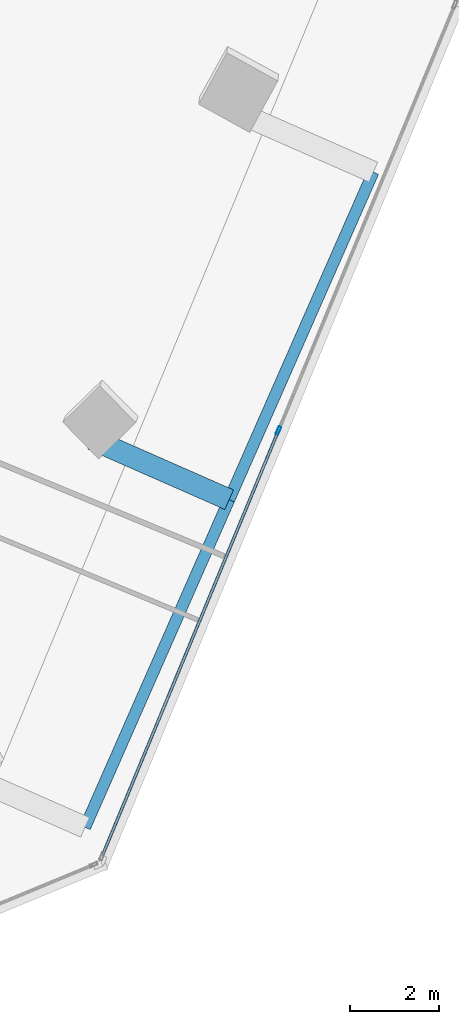
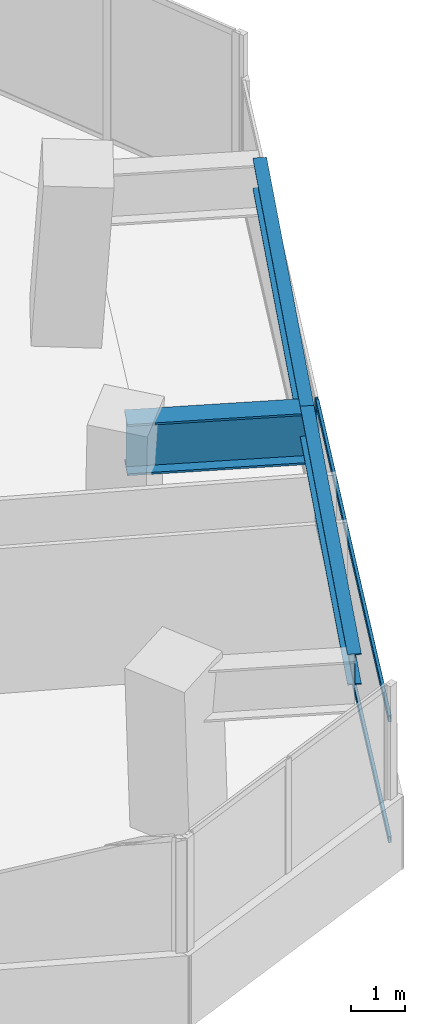
# One storey, part 8 of 23: 3 beams, 3 members, 1 element without a shape of its own.
"""IFC4 building model written with IfcOpenShell, lengths in metres."""

from ifc_helpers import new_model, si_unit, direction, frame, origin, origin_2d, place, context, subcontext, project, spatial, hollow_rectangle, i_section, extrude, source, transform, mapped, material, material_profile, profile_set, type_object, element, aggregate, save


model = new_model("IFC4")

# Units and contexts
model_context = context("Model", 3, precision=1e-05, world=origin(), true_north=direction((0.0, 1.0)))
body_context = subcontext(model_context, "Body", "Model", "MODEL_VIEW")
ifc_project = project(units=[si_unit("LENGTHUNIT", "METRE"), si_unit("AREAUNIT", "SQUARE_METRE"), si_unit("VOLUMEUNIT", "CUBIC_METRE"), si_unit("PLANEANGLEUNIT", "RADIAN"), si_unit("MASSUNIT", "GRAM", prefix="KILO")], contexts=[model_context])

# Site, building, storey
site_placement = place(None, origin())
site = spatial("IfcSite", under=ifc_project, at=site_placement, CompositionType="ELEMENT")
building_placement = place(site_placement, origin())
building = spatial("IfcBuilding", under=site, at=building_placement, Name="Torre Montelarca", CompositionType="ELEMENT")
storey_placement = place(building_placement, frame((0.0, 0.0, 145.60009765625)))
storey = spatial("IfcBuildingStorey", under=building, at=storey_placement, Name="L32", CompositionType="ELEMENT", Elevation=145.60009765625)

# Beams
ifc_material_1 = material(Name="Steel ASTM A572 Grade 50", Category="steel")
ifc_material_profile_1 = material_profile(ifc_material_1, i_section(OverallWidth=0.47998046875, OverallDepth=1.14990234375, WebThickness=0.02197265625, FlangeThickness=0.044921875, at=origin_2d()), Name="PG1150X480X22X45", Category="steel")
ifc_profile_set_1 = profile_set([ifc_material_profile_1], Name="Steel ASTM A572 Grade 50")
beam_type_1 = type_object("IfcBeamType", Name="BM-CG-PG1400-EXT", PredefinedType="USERDEFINED", material=ifc_profile_set_1)
shared_shape_1 = source(origin(), body_context, "Body", "SweptSolid", [
    extrude(i_section(OverallWidth=0.47998046875, OverallDepth=1.14990234375, WebThickness=0.02197265625, FlangeThickness=0.044921875, at=origin_2d()), origin(), (0.0, 0.0, 1.0), 3.349853515625),
])
beam_placement = place(storey_placement, frame((45.755859375, 21.3271484375, 3.385009765625), z_axis=(0.915313957765, -0.402741056661, 0.0), x_axis=(0.402741056661, 0.915313957765, 0.0)))
element("IfcBeam", 1, at=beam_placement, inside=storey, type_object=beam_type_1, Name="L32 Sliding Tray Cantilever Girder East Y=32m (FLR)", ObjectType="CANTILEVER GIRDER", PredefinedType="USERDEFINED", context=body_context, shape_type="MappedRepresentation", body=[
    mapped(shared_shape_1, transform((0.0, 0.0, 0.0), scale=1.0)),
])
ifc_material_2 = material(Name="Steel ASTM A992 Grade 50", Category="steel")
ifc_material_profile_2 = material_profile(ifc_material_2, i_section(OverallWidth=0.256103515625, OverallDepth=0.693115234375, WebThickness=0.014404296875, FlangeThickness=0.023681640625, FilletRadius=0.01806640625, at=origin_2d()), Name="W690X170", Category="steel")
ifc_profile_set_2 = profile_set([ifc_material_profile_2], Name="Steel ASTM A992 Grade 50")
beam_type_2 = type_object("IfcBeamType", Name="BM-G-W690-EXT", PredefinedType="BEAM", material=ifc_profile_set_2)
shared_shape_2 = source(origin(), body_context, "Body", "SweptSolid", [
    extrude(i_section(OverallWidth=0.256103515625, OverallDepth=0.693115234375, WebThickness=0.014404296875, FlangeThickness=0.023681640625, FilletRadius=0.01806640625, at=origin_2d()), origin(), (0.0, 0.0, 1.0), 8.0),
])
for number, where, z_axis, x_axis, name in (
    (2, (45.60009765625, 12.655517578125, 3.614013671875), (0.40274065968, 0.915314132438, 0.0), (-0.915314132438, 0.40274065968, 0.0), "L32 Sliding Tray Edge Girder East 24-32m (FLR)"),
    (3, (48.822021484375, 19.97802734375, 3.614013671875), (0.40274065968, 0.915314132438, 0.0), (-0.915314132438, 0.40274065968, 0.0), "L32 Sliding Tray Edge Girder East 32-40m (FLR)"),
):
    element("IfcBeam", number, at=place(storey_placement, frame(where, z_axis=z_axis, x_axis=x_axis)), inside=storey, type_object=beam_type_2, Name=name, PredefinedType="BEAM", context=body_context, shape_type="MappedRepresentation", body=[
        mapped(shared_shape_2, transform((0.0, 0.0, 0.0), scale=1.0)),
    ])

# Curtain wall, members
ifc_material_3 = material(Name="Insulated low-E laminated glass", Category="glass")
curtain_wall_type = type_object("IfcCurtainWallType", Name="CW-SYS-Z2", PredefinedType="USERDEFINED", material=ifc_material_3)
curtain_wall_placement = place(storey_placement, origin())
curtain_wall = element("IfcCurtainWall", 4, at=curtain_wall_placement, inside=storey, type_object=curtain_wall_type, Name="L32 Curtain Wall Run CW-T3-L32-E06-B1", ObjectType="UNITISED GLAZING", PredefinedType="USERDEFINED")
ifc_material_4 = material(Name="Anodised aluminium AA 6063-T6", Category="aluminium")
ifc_material_profile_3 = material_profile(ifc_material_4, hollow_rectangle(XDim=0.06494140625, YDim=0.139892578125, WallThickness=0.00390625, InnerFilletRadius=0.00390625, OuterFilletRadius=0.008056640625, at=origin_2d()), Name="ALU65X140X4", Category="aluminium")
ifc_profile_set_3 = profile_set([ifc_material_profile_3], Name="Anodised aluminium AA 6063-T6")
member_type_1 = type_object("IfcMemberType", Name="CWT-ALU140", PredefinedType="USERDEFINED", material=ifc_profile_set_3)
shared_shape_3 = source(origin(), body_context, "Body", "SweptSolid", [
    extrude(hollow_rectangle(XDim=0.06494140625, YDim=0.139892578125, WallThickness=0.00390625, InnerFilletRadius=0.00390625, OuterFilletRadius=0.008056640625, at=origin_2d()), origin(), (0.0, 0.0, 1.0), 10.236572265625),
])
member_1_placement = place(storey_placement, frame((45.995361328125, 12.037353515625, 0.032470703125), z_axis=(0.382667045409, 0.923886320041, 0.0), x_axis=(-0.923886320041, 0.382667045409, 0.0)))
member_1 = element("IfcMember", 5, at=member_1_placement, type_object=member_type_1, Name="CW transom 1.1", ObjectType="TRANSOM", PredefinedType="USERDEFINED", context=body_context, shape_type="MappedRepresentation", body=[
    mapped(shared_shape_3, transform((0.0, 0.0, 0.0), scale=1.0)),
])
member_2_placement = place(storey_placement, frame((45.995361328125, 12.037353515625, 2.742431640625), z_axis=(0.382667045409, 0.923886320041, 0.0), x_axis=(-0.923886320041, 0.382667045409, 0.0)))
member_2 = element("IfcMember", 6, at=member_2_placement, type_object=member_type_1, Name="CW transom 1.2", ObjectType="TRANSOM", PredefinedType="USERDEFINED", context=body_context, shape_type="MappedRepresentation", body=[
    mapped(shared_shape_3, transform((0.0, 0.0, 0.0), scale=1.0)),
])
ifc_material_profile_4 = material_profile(ifc_material_4, hollow_rectangle(XDim=0.06494140625, YDim=0.179931640625, WallThickness=0.00390625, InnerFilletRadius=0.00390625, OuterFilletRadius=0.008056640625, at=origin_2d()), Name="ALU65X180X4", Category="aluminium")
ifc_profile_set_4 = profile_set([ifc_material_profile_4], Name="Anodised aluminium AA 6063-T6")
member_type_2 = type_object("IfcMemberType", Name="CWM-ALU180", PredefinedType="MULLION", material=ifc_profile_set_4)
shared_shape_4 = source(origin(), body_context, "Body", "SweptSolid", [
    extrude(hollow_rectangle(XDim=0.06494140625, YDim=0.179931640625, WallThickness=0.00390625, InnerFilletRadius=0.00390625, OuterFilletRadius=0.008056640625, at=origin_2d()), origin(), (0.0, 0.0, 1.0), 2.77490234375),
])
member_3_placement = place(storey_placement, frame((49.925048828125, 21.52490234375, 0.0), z_axis=(0.0, 0.0, 1.0), x_axis=(-0.923881379508, 0.38267897329, 0.0)))
member_3 = element("IfcMember", 7, at=member_3_placement, type_object=member_type_2, Name="CW mullion 2", PredefinedType="MULLION", context=body_context, shape_type="MappedRepresentation", body=[
    mapped(shared_shape_4, transform((0.0, 0.0, 0.0), scale=1.0)),
])
aggregate(curtain_wall, [member_3, member_1, member_2])

save(model, "model.ifc")
